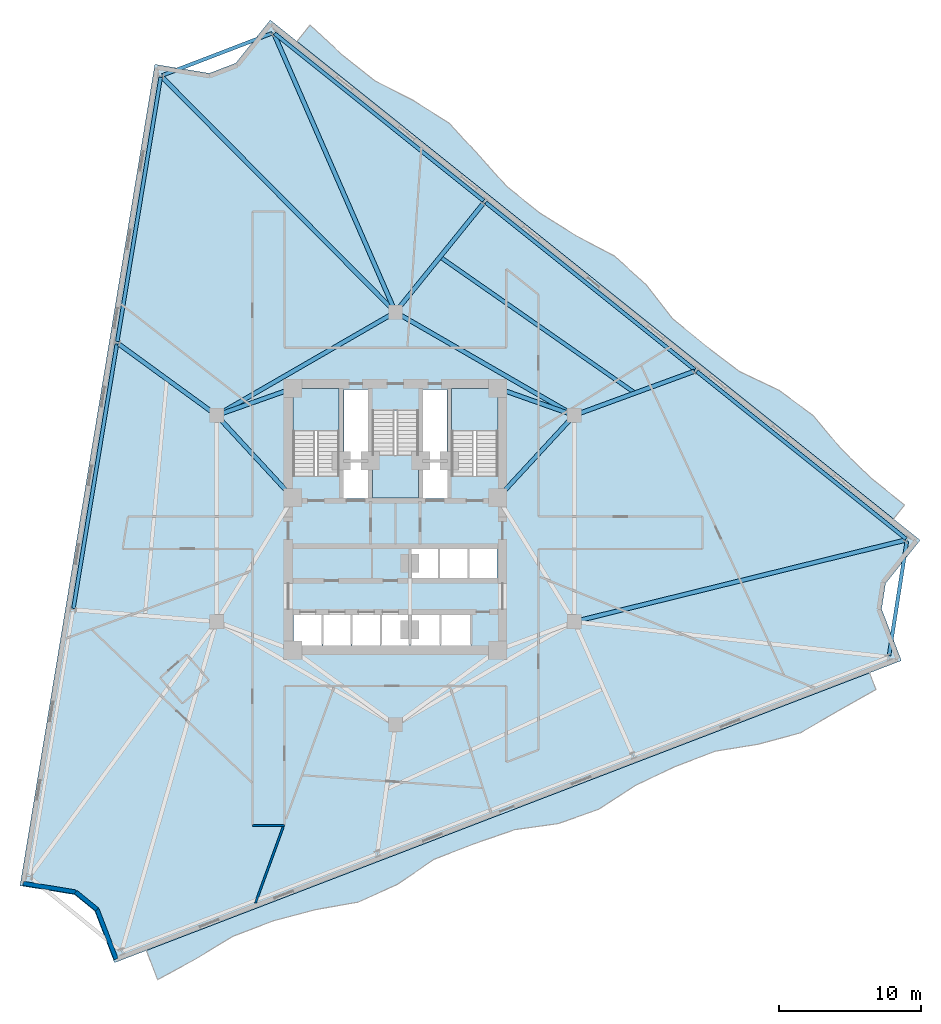
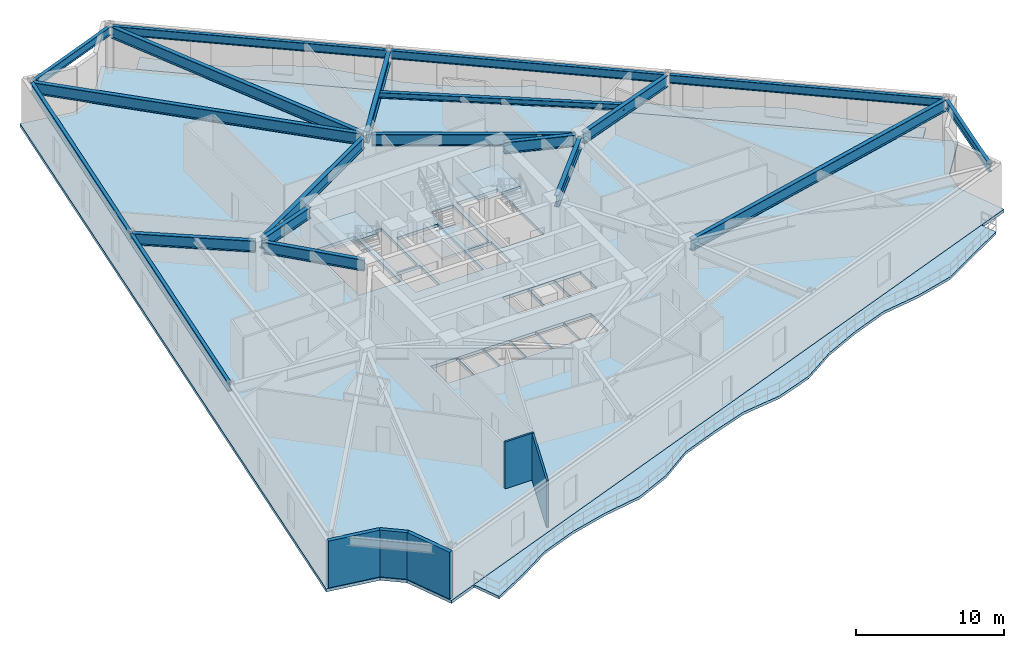
# One storey, part 3 of 10: 20 beams, 6 slabs, 5 walls, 3 elements without a shape of their own.
"""IFC4 building model written with IfcOpenShell, lengths in metres."""

from ifc_helpers import new_model, si_unit, direction, frame, frame_2d, origin, origin_2d, place, context, subcontext, project, spatial, polyline, rectangle, i_section, outline, extrude, material, layer, layer_set, material_profile, profile_set, type_object, element, aggregate, save


model = new_model("IFC4")

# Units and contexts
model_context = context("Model", 3, precision=1e-05, world=origin(), true_north=direction((0.0, 1.0)))
body_context = subcontext(model_context, "Body", "Model", "MODEL_VIEW")
ifc_project = project(units=[si_unit("LENGTHUNIT", "METRE"), si_unit("AREAUNIT", "SQUARE_METRE"), si_unit("VOLUMEUNIT", "CUBIC_METRE"), si_unit("PLANEANGLEUNIT", "RADIAN"), si_unit("MASSUNIT", "GRAM", prefix="KILO")], contexts=[model_context])

# Site, building, storey
site_placement = place(None, origin())
site = spatial("IfcSite", under=ifc_project, at=site_placement, CompositionType="ELEMENT")
building_placement = place(site_placement, origin())
building = spatial("IfcBuilding", under=site, at=building_placement, Name="Apsidion Concourse Tower", CompositionType="ELEMENT")
storey_placement = place(building_placement, frame((0.0, 0.0, 136.300048828125)))
storey = spatial("IfcBuildingStorey", under=building, at=storey_placement, Name="L31", CompositionType="ELEMENT", Elevation=136.300048828125)

# Beams
ifc_material_1 = material(Name="Structural steel ASTM A992 Grade 50", Category="steel")
ifc_material_profile_1 = material_profile(ifc_material_1, i_section(OverallWidth=0.280029296875, OverallDepth=0.462890625, WebThickness=0.0107421875, FlangeThickness=0.017333984375, at=origin_2d()), Name="W18X76")
ifc_profile_set_1 = profile_set([ifc_material_profile_1], Name="Structural steel ASTM A992 Grade 50")
beam_type_1 = type_object("IfcBeamType", Name="BM-FL-W18M", PredefinedType="BEAM", material=ifc_profile_set_1)
beam_1_placement = place(storey_placement, frame((16.836181640625, 8.818359375, 3.618408203125), z_axis=(-0.819987071057, 0.572382043131, 0.0), x_axis=(-0.572382043131, -0.819987071057, 0.0)))
element("IfcBeam", 1, at=beam_1_placement, inside=storey, type_object=beam_type_1, Name="L31 Secondary Floor Beam SEC-F3", PredefinedType="BEAM", context=body_context, shape_type="SweptSolid", body=[
    extrude(i_section(OverallWidth=0.280029296875, OverallDepth=0.462890625, WebThickness=0.0107421875, FlangeThickness=0.017333984375, at=origin_2d()), origin(), (0.0, 0.0, 1.0), 16.70703125),
])
ifc_material_profile_2 = material_profile(ifc_material_1, i_section(OverallWidth=0.31005859375, OverallDepth=0.931884765625, WebThickness=0.02099609375, FlangeThickness=0.034423828125, at=origin_2d()), Name="W36X210")
ifc_profile_set_2 = profile_set([ifc_material_profile_2], Name="Structural steel ASTM A992 Grade 50")
beam_type_2 = type_object("IfcBeamType", Name="BM-G-W36", PredefinedType="USERDEFINED", material=ifc_profile_set_2)
beam_2_placement = place(storey_placement, frame((12.28857421875, 6.956298828125, 3.384033203125), z_axis=(-0.678712876106, -0.73440372535, 0.0), x_axis=(0.73440372535, -0.678712876106, 0.0)))
element("IfcBeam", 2, at=beam_2_placement, inside=storey, type_object=beam_type_2, Name="L31 Core Coupling Girder IC3-SC3", ObjectType="GIRDER", PredefinedType="USERDEFINED", context=body_context, shape_type="SweptSolid", body=[
    extrude(i_section(OverallWidth=0.31005859375, OverallDepth=0.931884765625, WebThickness=0.02099609375, FlangeThickness=0.034423828125, at=origin_2d()), origin(), (0.0, 0.0, 1.0), 7.097412109375),
])
beam_3_placement = place(storey_placement, frame((12.18310546875, 7.383544921875, 3.384033203125), z_axis=(-0.942533844539, 0.334110688094, 0.0), x_axis=(-0.334110688094, -0.942533844539, 0.0)))
element("IfcBeam", 3, at=beam_3_placement, inside=storey, type_object=beam_type_2, Name="L31 Core Coupling Girder IC3-SC4", ObjectType="GIRDER", PredefinedType="USERDEFINED", context=body_context, shape_type="SweptSolid", body=[
    extrude(i_section(OverallWidth=0.31005859375, OverallDepth=0.931884765625, WebThickness=0.02099609375, FlangeThickness=0.034423828125, at=origin_2d()), origin(), (0.0, 0.0, 1.0), 4.886962890625),
])
beam_4_placement = place(storey_placement, frame((-12.28857421875, 6.956298828125, 3.384033203125), z_axis=(0.678712876106, -0.73440372535, 0.0), x_axis=(0.73440372535, 0.678712876106, 0.0)))
element("IfcBeam", 4, at=beam_4_placement, inside=storey, type_object=beam_type_2, Name="L31 Core Coupling Girder IC5-SC6", ObjectType="GIRDER", PredefinedType="USERDEFINED", context=body_context, shape_type="SweptSolid", body=[
    extrude(i_section(OverallWidth=0.31005859375, OverallDepth=0.931884765625, WebThickness=0.02099609375, FlangeThickness=0.034423828125, at=origin_2d()), origin(), (0.0, 0.0, 1.0), 7.097412109375),
])
beam_5_placement = place(storey_placement, frame((-12.18310546875, 7.383544921875, 3.384033203125), z_axis=(0.942533844539, 0.334110688094, 0.0), x_axis=(-0.334110688094, 0.942533844539, 0.0)))
element("IfcBeam", 5, at=beam_5_placement, inside=storey, type_object=beam_type_2, Name="L31 Core Coupling Girder IC5-SC5", ObjectType="GIRDER", PredefinedType="USERDEFINED", context=body_context, shape_type="SweptSolid", body=[
    extrude(i_section(OverallWidth=0.31005859375, OverallDepth=0.931884765625, WebThickness=0.02099609375, FlangeThickness=0.034423828125, at=origin_2d()), origin(), (0.0, 0.0, 1.0), 4.886962890625),
])
for number, where, z_axis, x_axis, name in (
    (6, (-12.213623046875, 7.449951171875, 3.384033203125), (0.866070471464, 0.499921932364, 0.0), (-0.499921932364, 0.866070471464, 0.0), "L31 Core Coupling Girder IC5-IC4"),
    (7, (0.346435546875, 14.300048828125, 3.384033203125), (0.866070471464, -0.499921932364, 0.0), (0.499921932364, 0.866070471464, 0.0), "L31 Core Coupling Girder IC4-IC3"),
):
    element("IfcBeam", number, at=place(storey_placement, frame(where, z_axis=z_axis, x_axis=x_axis)), inside=storey, type_object=beam_type_2, Name=name, ObjectType="GIRDER", PredefinedType="USERDEFINED", context=body_context, shape_type="SweptSolid", body=[
        extrude(i_section(OverallWidth=0.31005859375, OverallDepth=0.931884765625, WebThickness=0.02099609375, FlangeThickness=0.034423828125, at=origin_2d()), origin(), (0.0, 0.0, 1.0), 13.702392578125),
    ])
beam_6_placement = place(storey_placement, frame((-0.155029296875, 14.656005859375, 3.384033203125), z_axis=(-0.704472079086, 0.709731702679, 0.0), x_axis=(-0.709731702679, -0.704472079086, 0.0)))
element("IfcBeam", 8, at=beam_6_placement, inside=storey, type_object=beam_type_2, Name="L31 Radial Floor Girder RAD-01", ObjectType="GIRDER", PredefinedType="USERDEFINED", context=body_context, shape_type="SweptSolid", body=[
    extrude(i_section(OverallWidth=0.31005859375, OverallDepth=0.931884765625, WebThickness=0.02099609375, FlangeThickness=0.034423828125, at=origin_2d()), origin(), (0.0, 0.0, 1.0), 23.069580078125),
])
beam_7_placement = place(storey_placement, frame((-12.73779296875, 7.37939453125, 3.384033203125), z_axis=(-0.80838519092, 0.588653873767, 0.0), x_axis=(-0.588653873767, -0.80838519092, 0.0)))
element("IfcBeam", 9, at=beam_7_placement, inside=storey, type_object=beam_type_2, Name="L31 Radial Floor Girder RAD-02", ObjectType="GIRDER", PredefinedType="USERDEFINED", context=body_context, shape_type="SweptSolid", body=[
    extrude(i_section(OverallWidth=0.31005859375, OverallDepth=0.931884765625, WebThickness=0.02099609375, FlangeThickness=0.034423828125, at=origin_2d()), origin(), (0.0, 0.0, 1.0), 8.337646484375),
])
beam_8_placement = place(storey_placement, frame((12.773681640625, -7.197509765625, 3.384033203125), z_axis=(0.970978267366, 0.239167732569, 0.0), x_axis=(-0.239167732569, 0.970978267366, 0.0)))
element("IfcBeam", 10, at=beam_8_placement, inside=storey, type_object=beam_type_2, Name="L31 Radial Floor Girder RAD-09", ObjectType="GIRDER", PredefinedType="USERDEFINED", context=body_context, shape_type="SweptSolid", body=[
    extrude(i_section(OverallWidth=0.31005859375, OverallDepth=0.931884765625, WebThickness=0.02099609375, FlangeThickness=0.034423828125, at=origin_2d()), origin(), (0.0, 0.0, 1.0), 23.770263671875),
])
beam_9_placement = place(storey_placement, frame((12.7666015625, 7.32568359375, 3.384033203125), z_axis=(0.938840099728, 0.34435340443, 0.0), x_axis=(-0.34435340443, 0.938840099728, 0.0)))
element("IfcBeam", 11, at=beam_9_placement, inside=storey, type_object=beam_type_2, Name="L31 Radial Floor Girder RAD-10", ObjectType="GIRDER", PredefinedType="USERDEFINED", context=body_context, shape_type="SweptSolid", body=[
    extrude(i_section(OverallWidth=0.31005859375, OverallDepth=0.931884765625, WebThickness=0.02099609375, FlangeThickness=0.034423828125, at=origin_2d()), origin(), (0.0, 0.0, 1.0), 8.789306640625),
])
beam_10_placement = place(storey_placement, frame((0.13818359375, 14.671142578125, 3.384033203125), z_axis=(0.628598256624, 0.777730179284, 0.0), x_axis=(-0.777730179284, 0.628598256624, 0.0)))
element("IfcBeam", 12, at=beam_10_placement, inside=storey, type_object=beam_type_2, Name="L31 Radial Floor Girder RAD-11", ObjectType="GIRDER", PredefinedType="USERDEFINED", context=body_context, shape_type="SweptSolid", body=[
    extrude(i_section(OverallWidth=0.31005859375, OverallDepth=0.931884765625, WebThickness=0.02099609375, FlangeThickness=0.034423828125, at=origin_2d()), origin(), (0.0, 0.0, 1.0), 9.660400390625),
])
beam_11_placement = place(storey_placement, frame((-0.087890625, 14.70166015625, 3.384033203125), z_axis=(-0.39980027304, 0.916602281078, 0.0), x_axis=(-0.916602281078, -0.39980027304, 0.0)))
element("IfcBeam", 13, at=beam_11_placement, inside=storey, type_object=beam_type_2, Name="L31 Radial Floor Girder RAD-12", ObjectType="GIRDER", PredefinedType="USERDEFINED", context=body_context, shape_type="SweptSolid", body=[
    extrude(i_section(OverallWidth=0.31005859375, OverallDepth=0.931884765625, WebThickness=0.02099609375, FlangeThickness=0.034423828125, at=origin_2d()), origin(), (0.0, 0.0, 1.0), 21.104248046875),
])
ifc_material_profile_3 = material_profile(ifc_material_1, i_section(OverallWidth=0.256103515625, OverallDepth=0.693115234375, WebThickness=0.014404296875, FlangeThickness=0.023681640625, at=origin_2d()), Name="W27X114")
ifc_profile_set_3 = profile_set([ifc_material_profile_3], Name="Structural steel ASTM A992 Grade 50")
beam_type_3 = type_object("IfcBeamType", Name="BM-SP-W27", PredefinedType="SPANDREL", material=ifc_profile_set_3)
for number, where, z_axis, x_axis, name in (
    (14, (-16.493408203125, 31.001708984375, 3.50341796875), (-0.162122790078, -0.986770591849, 0.0), (0.986770591849, -0.162122790078, 0.0), "L31 Perimeter Spandrel Girder SP-01"),
    (15, (-19.57470703125, 12.24755859375, 3.50341796875), (-0.162110148975, -0.986772668652, 0.0), (0.986772668652, -0.162110148975, 0.0), "L31 Perimeter Spandrel Girder SP-02"),
):
    element("IfcBeam", number, at=place(storey_placement, frame(where, z_axis=z_axis, x_axis=x_axis)), inside=storey, type_object=beam_type_3, Name=name, PredefinedType="SPANDREL", context=body_context, shape_type="SweptSolid", body=[
        extrude(i_section(OverallWidth=0.256103515625, OverallDepth=0.693115234375, WebThickness=0.014404296875, FlangeThickness=0.023681640625, at=origin_2d()), origin(), (0.0, 0.0, 1.0), 18.8056640625),
    ])
beam_12_placement = place(storey_placement, frame((34.68408203125, -9.64013671875, 3.50341796875), z_axis=(0.153594554534, 0.988133954896, 0.0), x_axis=(-0.988133954896, 0.153594554534, 0.0)))
element("IfcBeam", 16, at=beam_12_placement, inside=storey, type_object=beam_type_3, Name="L31 Perimeter Spandrel Girder SP-08", PredefinedType="SPANDREL", context=body_context, shape_type="SweptSolid", body=[
    extrude(i_section(OverallWidth=0.256103515625, OverallDepth=0.693115234375, WebThickness=0.014404296875, FlangeThickness=0.023681640625, at=origin_2d()), origin(), (0.0, 0.0, 1.0), 8.1494140625),
])
beam_13_placement = place(storey_placement, frame((35.873046875, -1.426025390625, 3.50341796875), z_axis=(-0.780761138975, 0.624829611868, 0.0), x_axis=(-0.624829611868, -0.780761138975, 0.0)))
element("IfcBeam", 17, at=beam_13_placement, inside=storey, type_object=beam_type_3, Name="L31 Perimeter Spandrel Girder SP-09", PredefinedType="SPANDREL", context=body_context, shape_type="SweptSolid", body=[
    extrude(i_section(OverallWidth=0.256103515625, OverallDepth=0.693115234375, WebThickness=0.014404296875, FlangeThickness=0.023681640625, at=origin_2d()), origin(), (0.0, 0.0, 1.0), 18.805419921875),
])
for number, where, z_axis, x_axis, name in (
    (18, (21.0341796875, 10.44921875, 3.50341796875), (-0.780754805621, 0.624837525682, 0.0), (-0.624837525682, -0.780754805621, 0.0), "L31 Perimeter Spandrel Girder SP-10"),
    (19, (6.1953125, 22.32470703125, 3.50341796875), (-0.780754805621, 0.624837525682, 0.0), (-0.624837525682, -0.780754805621, 0.0), "L31 Perimeter Spandrel Girder SP-11"),
):
    element("IfcBeam", number, at=place(storey_placement, frame(where, z_axis=z_axis, x_axis=x_axis)), inside=storey, type_object=beam_type_3, Name=name, PredefinedType="SPANDREL", context=body_context, shape_type="SweptSolid", body=[
        extrude(i_section(OverallWidth=0.256103515625, OverallDepth=0.693115234375, WebThickness=0.014404296875, FlangeThickness=0.023681640625, at=origin_2d()), origin(), (0.0, 0.0, 1.0), 18.8056640625),
    ])
beam_14_placement = place(storey_placement, frame((-8.65869140625, 34.101806640625, 3.50341796875), z_axis=(-0.933572784053, -0.35838785816, 0.0), x_axis=(0.35838785816, -0.933572784053, 0.0)))
element("IfcBeam", 20, at=beam_14_placement, inside=storey, type_object=beam_type_3, Name="L31 Perimeter Spandrel Girder SP-12", PredefinedType="SPANDREL", context=body_context, shape_type="SweptSolid", body=[
    extrude(i_section(OverallWidth=0.256103515625, OverallDepth=0.693115234375, WebThickness=0.014404296875, FlangeThickness=0.023681640625, at=origin_2d()), origin(), (0.0, 0.0, 1.0), 8.274658203125),
])

# Slabs
ifc_material_2 = material(Name="Concrete C50/60", Category="concrete")
ifc_layer_1 = layer(ifc_material_2, 0.219970703125)
ifc_layer_set_1 = layer_set([ifc_layer_1], Name="Concrete C50/60")
slab_type_1 = type_object("IfcSlabType", Name="SL-BAL-220", PredefinedType="FLOOR", material=ifc_layer_set_1)
slab_1_placement = place(storey_placement, frame((0.0, 0.0, -0.219970703125)))
element("IfcSlab", 21, at=slab_1_placement, inside=storey, type_object=slab_type_1, Name="L31 Face 2 Rippling Balcony Slab", PredefinedType="FLOOR", context=body_context, shape_type="SweptSolid", body=[
    extrude(outline(polyline([(-17.49853515625, -30.353271484375), (-14.67578125, -29.26953125), (-11.852783203125, -28.18603515625), (-9.02978515625, -27.102294921875), (-6.206787109375, -26.018798828125), (-3.3837890625, -24.93505859375), (-0.56103515625, -23.8515625), (2.261962890625, -22.767822265625), (5.0849609375, -21.68408203125), (7.90771484375, -20.6005859375), (10.730712890625, -19.51708984375), (13.5537109375, -18.433349609375), (16.376708984375, -17.349609375), (19.19970703125, -16.26611328125), (22.0224609375, -15.1826171875), (24.845458984375, -14.098876953125), (27.66845703125, -13.01513671875), (30.491455078125, -11.931640625), (33.314208984375, -10.847900390625), (33.76220703125, -12.014892578125), (31.100830078125, -13.519287109375), (28.4541015625, -15.062255859375), (25.519287109375, -15.85400390625), (22.470458984375, -16.349609375), (19.647705078125, -17.43310546875), (16.906005859375, -18.72900390625), (14.314208984375, -20.414306640625), (11.465576171875, -21.431396484375), (8.392578125, -21.86328125), (5.532958984375, -22.851318359375), (2.71435546875, -23.946533203125), (0.149658203125, -25.702880859375), (-2.609375, -26.952880859375), (-5.642578125, -27.48828125), (-8.581787109375, -28.269287109375), (-11.40478515625, -29.352783203125), (-14.033203125, -30.943603515625), (-16.710205078125, -32.406982421875), (-17.49853515625, -30.353271484375)])), origin(), (0.0, 0.0, 1.0), 0.219970703125),
])
slab_2_placement = place(storey_placement, frame((0.0, 0.0, -0.219970703125)))
element("IfcSlab", 22, at=slab_2_placement, inside=storey, type_object=slab_type_1, Name="L31 Face 3 Rippling Balcony Slab", PredefinedType="FLOOR", context=body_context, shape_type="SweptSolid", body=[
    extrude(outline(polyline([(34.997314453125, -0.025634765625), (32.668701171875, 1.83837890625), (30.33984375, 3.70263671875), (28.01123046875, 5.56689453125), (25.6826171875, 7.430908203125), (23.353759765625, 9.295166015625), (21.025146484375, 11.159423828125), (18.6962890625, 13.023681640625), (16.36767578125, 14.8876953125), (14.0390625, 16.751953125), (11.71044921875, 18.6162109375), (9.381591796875, 20.480224609375), (7.052978515625, 22.344482421875), (4.724365234375, 24.208740234375), (2.3955078125, 26.072998046875), (0.06689453125, 27.93701171875), (-2.26171875, 29.80126953125), (-4.590576171875, 31.665283203125), (-6.919189453125, 33.529541015625), (-5.99951171875, 34.6787109375), (-3.809326171875, 32.641357421875), (-1.480712890625, 30.777099609375), (1.227783203125, 29.38720703125), (3.768798828125, 27.7880859375), (5.815185546875, 25.5712890625), (7.834228515625, 23.3203125), (10.162841796875, 21.456298828125), (12.706298828125, 19.860107421875), (15.3916015625, 18.441650390625), (17.60791015625, 16.43701171875), (19.4921875, 14.017578125), (21.806396484375, 12.13525390625), (24.1796875, 10.326904296875), (26.946044921875, 9.00927734375), (29.35205078125, 7.24169921875), (31.302978515625, 4.906005859375), (33.44970703125, 2.814208984375), (35.778564453125, 0.9501953125), (34.997314453125, -0.025634765625)])), origin(), (0.0, 0.0, 1.0), 0.219970703125),
])
ifc_layer_2 = layer(ifc_material_2, 0.25)
ifc_layer_set_2 = layer_set([ifc_layer_2], Name="Concrete C50/60")
slab_type_2 = type_object("IfcSlabType", Name="SL-FLR-250", PredefinedType="FLOOR", material=ifc_layer_set_2)
slab_3_placement = place(storey_placement, frame((0.0, 0.0, -0.25)))
element("IfcSlab", 23, at=slab_3_placement, inside=storey, type_object=slab_type_2, Name="L31 Structural Floor Slab", PredefinedType="FLOOR", context=body_context, shape_type="SweptSolid", body=[
    extrude(outline(polyline([(-8.792724609375, 35.029541015625), (-11.219970703125, 31.997802734375), (-13.072509765625, 31.286376953125), (-16.905029296875, 31.91552734375), (-26.37939453125, -25.80517578125), (-22.547119140625, -26.434326171875), (-21.131103515625, -27.587646484375), (-19.7392578125, -31.21337890625), (35.554931640625, -9.98779296875), (34.1630859375, -6.3623046875), (34.44384765625, -4.5576171875), (36.870849609375, -1.525634765625), (-8.792724609375, 35.029541015625)]), holes=[polyline([(-3.949951171875, 3.0), (-3.949951171875, 9.14990234375), (-7.199951171875, 9.14990234375), (-7.199951171875, 3.0), (-3.949951171875, 3.0)]), polyline([(7.199951171875, 3.0), (7.199951171875, 9.14990234375), (3.949951171875, 9.14990234375), (3.949951171875, 3.0), (7.199951171875, 3.0)]), polyline([(-1.625, 7.60009765625), (-1.625, 1.449951171875), (1.625, 1.449951171875), (1.625, 7.60009765625), (-1.625, 7.60009765625)]), polyline([(1.054931640625, -4.300048828125), (3.044921875, -4.300048828125), (3.044921875, -2.050048828125), (1.054931640625, -2.050048828125), (1.054931640625, -4.300048828125)]), polyline([(3.10498046875, -4.300048828125), (5.094970703125, -4.300048828125), (5.094970703125, -2.050048828125), (3.10498046875, -2.050048828125), (3.10498046875, -4.300048828125)]), polyline([(5.155029296875, -4.300048828125), (7.14501953125, -4.300048828125), (7.14501953125, -2.050048828125), (5.155029296875, -2.050048828125), (5.155029296875, -4.300048828125)]), polyline([(-7.14501953125, -8.949951171875), (-5.155029296875, -8.949951171875), (-5.155029296875, -6.64990234375), (-7.14501953125, -6.64990234375), (-7.14501953125, -8.949951171875)]), polyline([(-5.094970703125, -8.949951171875), (-3.10498046875, -8.949951171875), (-3.10498046875, -6.64990234375), (-5.094970703125, -6.64990234375), (-5.094970703125, -8.949951171875)]), polyline([(-3.044921875, -8.949951171875), (-1.054931640625, -8.949951171875), (-1.054931640625, -6.64990234375), (-3.044921875, -6.64990234375), (-3.044921875, -8.949951171875)]), polyline([(-0.9951171875, -8.949951171875), (0.9951171875, -8.949951171875), (0.9951171875, -6.64990234375), (-0.9951171875, -6.64990234375), (-0.9951171875, -8.949951171875)]), polyline([(1.044921875, -9.0), (3.155029296875, -9.0), (3.155029296875, -6.64990234375), (1.044921875, -6.64990234375), (1.044921875, -9.0)]), polyline([(3.195068359375, -9.0), (5.304931640625, -9.0), (5.304931640625, -6.64990234375), (3.195068359375, -6.64990234375), (3.195068359375, -9.0)]), polyline([(-3.7099609375, 1.39990234375), (-1.85009765625, 1.39990234375), (-1.85009765625, 4.0), (-3.7099609375, 4.0), (-3.7099609375, 1.39990234375)]), polyline([(1.85009765625, 1.39990234375), (3.7099609375, 1.39990234375), (3.7099609375, 4.0), (1.85009765625, 4.0), (1.85009765625, 1.39990234375)]), polyline([(-3.6201171875, 4.14990234375), (-1.93994140625, 4.14990234375), (-1.93994140625, 9.050048828125), (-3.6201171875, 9.050048828125), (-3.6201171875, 4.14990234375)]), polyline([(1.93994140625, 4.14990234375), (3.6201171875, 4.14990234375), (3.6201171875, 9.050048828125), (1.93994140625, 9.050048828125), (1.93994140625, 4.14990234375)])]), origin(), (0.0, 0.0, 1.0), 0.25),
])

# Stair, slab
ifc_material_3 = material(Name="Precast concrete C40/50", Category="concrete")
stair_type = type_object("IfcStairType", Name="ST-DL-1550", PredefinedType="HALF_TURN_STAIR", material=ifc_material_3)
stair_1_placement = place(storey_placement, origin())
stair_1 = element("IfcStair", 24, at=stair_1_placement, inside=storey, type_object=stair_type, Name="L31 Protected Core Exit Stair ST1", PredefinedType="HALF_TURN_STAIR")
ifc_layer_3 = layer(ifc_material_2, 0.199951171875)
ifc_layer_set_3 = layer_set([ifc_layer_3], Name="Concrete C50/60")
slab_type_3 = type_object("IfcSlabType", Name="SL-ST-LAND-200", PredefinedType="LANDING", material=ifc_layer_set_3)
slab_4_placement = place(storey_placement, frame((0.0, 0.0, 1.849853515625)))
slab_4 = element("IfcSlab", 25, at=slab_4_placement, type_object=slab_type_3, Name="ST1 landing 1", PredefinedType="LANDING", context=body_context, shape_type="SweptSolid", body=[
    extrude(outline(polyline([(-3.949951171875, 6.135009765625), (-3.949951171875, 9.14990234375), (-7.199951171875, 9.14990234375), (-7.199951171875, 6.135009765625), (-3.949951171875, 6.135009765625)])), origin(), (0.0, 0.0, 1.0), 0.2001953125),
])
aggregate(stair_1, [slab_4])

stair_2_placement = place(storey_placement, origin())
stair_2 = element("IfcStair", 26, at=stair_2_placement, inside=storey, type_object=stair_type, Name="L31 Protected Core Exit Stair ST2", PredefinedType="HALF_TURN_STAIR")
slab_5_placement = place(storey_placement, frame((0.0, 0.0, 1.849853515625)))
slab_5 = element("IfcSlab", 27, at=slab_5_placement, type_object=slab_type_3, Name="ST2 landing 1", PredefinedType="LANDING", context=body_context, shape_type="SweptSolid", body=[
    extrude(outline(polyline([(7.199951171875, 6.135009765625), (7.199951171875, 9.14990234375), (3.949951171875, 9.14990234375), (3.949951171875, 6.135009765625), (7.199951171875, 6.135009765625)])), origin(), (0.0, 0.0, 1.0), 0.2001953125),
])
aggregate(stair_2, [slab_5])

stair_3_placement = place(storey_placement, origin())
stair_3 = element("IfcStair", 28, at=stair_3_placement, inside=storey, type_object=stair_type, Name="L31 Protected Core Exit Stair ST3", PredefinedType="HALF_TURN_STAIR")
slab_6_placement = place(storey_placement, frame((0.0, 0.0, 1.849853515625)))
slab_6 = element("IfcSlab", 29, at=slab_6_placement, type_object=slab_type_3, Name="ST3 landing 1", PredefinedType="LANDING", context=body_context, shape_type="SweptSolid", body=[
    extrude(outline(polyline([(-1.625, 4.465087890625), (-1.625, 1.449951171875), (1.625, 1.449951171875), (1.625, 4.465087890625), (-1.625, 4.465087890625)])), origin(), (0.0, 0.0, 1.0), 0.2001953125),
])
aggregate(stair_3, [slab_6])

# Walls
ifc_layer_4 = layer(ifc_material_3, 0.300048828125)
ifc_layer_set_4 = layer_set([ifc_layer_4], Name="Precast concrete C40/50")
wall_type_1 = type_object("IfcWallType", Name="WL-EXT-300", PredefinedType="STANDARD", material=ifc_layer_set_4)
wall_1_placement = place(storey_placement, frame((-19.624267578125, -30.954833984375, 0.0), z_axis=(0.0, 0.0, 1.0), x_axis=(-0.358366059171, 0.933581152142, 0.0)))
element("IfcWall", 30, at=wall_1_placement, inside=storey, type_object=wall_type_1, Name="L31 Precast Stone Facade Wall 06", PredefinedType="STANDARD", context=body_context, shape_type="SweptSolid", body=[
    extrude(rectangle(XDim=3.73681640625, YDim=0.300048828125, at=frame_2d((1.868408203125, 0.0))), origin(), (0.0, 0.0, 1.0), 3.849853515625),
])
wall_2_placement = place(storey_placement, frame((-20.96337890625, -27.46630859375, 0.0), z_axis=(0.0, 0.0, 1.0), x_axis=(-0.775367830134, 0.631509879569, 0.0)))
element("IfcWall", 31, at=wall_2_placement, inside=storey, type_object=wall_type_1, Name="L31 Precast Stone Facade Wall 07", PredefinedType="STANDARD", context=body_context, shape_type="SweptSolid", body=[
    extrude(rectangle(XDim=1.93310546875, YDim=0.300048828125, at=frame_2d((0.966552734375, 0.0))), origin(), (0.0, 0.0, 1.0), 3.849853515625),
])
wall_3_placement = place(storey_placement, frame((-22.462158203125, -26.24560546875, 0.0), z_axis=(0.0, 0.0, 1.0), x_axis=(-0.986786597315, 0.16202534172, 0.0)))
element("IfcWall", 32, at=wall_3_placement, inside=storey, type_object=wall_type_1, Name="L31 Precast Stone Facade Wall 08", PredefinedType="STANDARD", context=body_context, shape_type="SweptSolid", body=[
    extrude(rectangle(XDim=3.73681640625, YDim=0.300048828125, at=frame_2d((1.868408203125, 0.0))), origin(), (0.0, 0.0, 1.0), 3.849853515625),
])
ifc_material_4 = material(Name="Gypsum plasterboard partition")
ifc_layer_5 = layer(ifc_material_4, 0.14990234375)
ifc_layer_set_5 = layer_set([ifc_layer_5], Name="Gypsum plasterboard partition")
wall_type_2 = type_object("IfcWallType", Name="WL-INT-PAR-150", PredefinedType="PARTITIONING", material=ifc_layer_set_5)
wall_4_placement = place(storey_placement, frame((-7.7900390625, -21.580078125, 0.0), z_axis=(0.0, 0.0, 1.0), x_axis=(-1.0, 0.0, 0.0)))
element("IfcWall", 33, at=wall_4_placement, inside=storey, type_object=wall_type_2, Name="L31 Interior Partition WL-L31-CORR-05", PredefinedType="PARTITIONING", context=body_context, shape_type="SweptSolid", body=[
    extrude(rectangle(XDim=2.260009765625, YDim=0.14990234375, at=frame_2d((1.1298828125, 0.0))), origin(), (0.0, 0.0, 1.0), 3.849853515625),
])
wall_5_placement = place(storey_placement, frame((-7.892578125, -21.68505859375, 0.0), z_axis=(0.0, 0.0, 1.0), x_axis=(-0.342064129915, -0.939676609811, 0.0)))
element("IfcWall", 34, at=wall_5_placement, inside=storey, type_object=wall_type_2, Name="L31 Interior Partition WL-L31-RAD-05-2", PredefinedType="PARTITIONING", context=body_context, shape_type="SweptSolid", body=[
    extrude(rectangle(XDim=5.677734375, YDim=0.14990234375, at=frame_2d((2.8388671875, 0.0))), origin(), (0.0, 0.0, 1.0), 3.849853515625),
])

save(model, "model.ifc")
